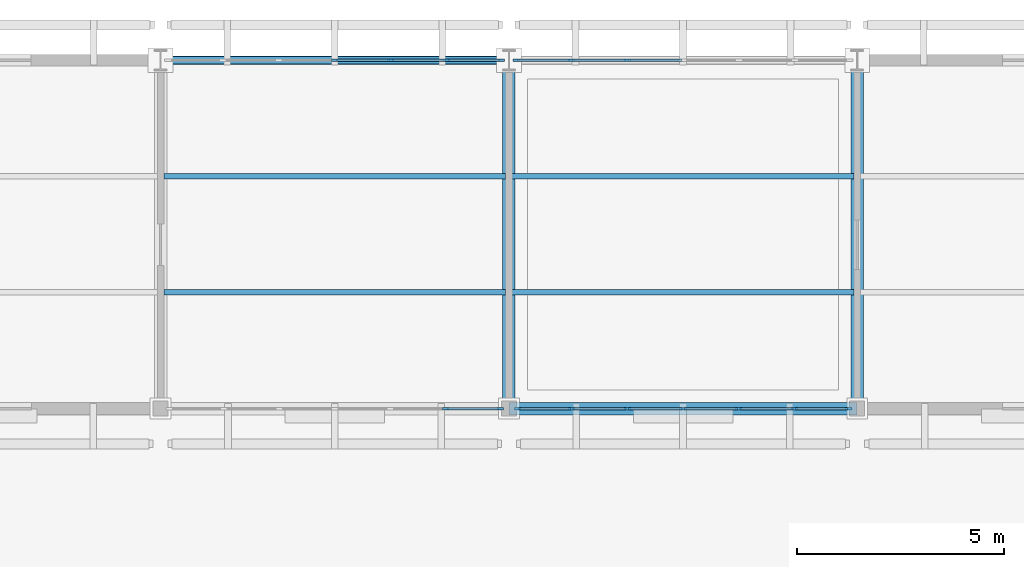
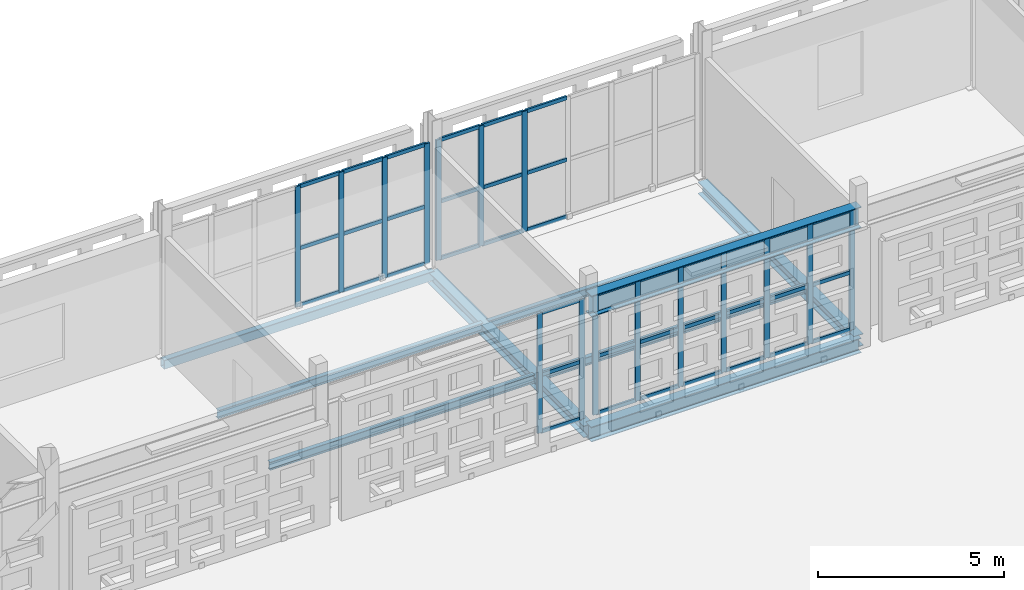
# One storey, part 60 of 203: 55 members, 9 beams, 4 elements without a shape of their own.
"""IFC4 building model written with IfcOpenShell, lengths in metres."""

from ifc_helpers import new_model, si_unit, direction, frame, origin, origin_2d, place, context, subcontext, project, spatial, rectangle, hollow_rectangle, i_section, extrude, material, layer, layer_set, material_profile, profile_set, type_object, element, aggregate, save


model = new_model("IFC4")

# Units and contexts
model_context = context("Model", 3, precision=1e-05, world=origin(), true_north=direction((0.0, 1.0)))
body_context = subcontext(model_context, "Body", "Model", "MODEL_VIEW")
ifc_project = project(units=[si_unit("LENGTHUNIT", "METRE"), si_unit("AREAUNIT", "SQUARE_METRE"), si_unit("VOLUMEUNIT", "CUBIC_METRE"), si_unit("PLANEANGLEUNIT", "RADIAN"), si_unit("MASSUNIT", "GRAM", prefix="KILO")], contexts=[model_context])

# Site, building, storey
site_placement = place(None, origin())
site = spatial("IfcSite", under=ifc_project, at=site_placement, CompositionType="ELEMENT")
building_placement = place(site_placement, origin())
building = spatial("IfcBuilding", under=site, at=building_placement, Name="Varnapada Polytechnic", CompositionType="ELEMENT")
storey_placement = place(building_placement, frame((0.0, 0.0, 4.800048828125)))
storey = spatial("IfcBuildingStorey", under=building, at=storey_placement, Name="L01", CompositionType="ELEMENT", Elevation=4.800048828125)

# Beams
ifc_material_1 = material(Name="Steel S355", Category="steel")
ifc_material_profile_1 = material_profile(ifc_material_1, i_section(OverallWidth=0.300048828125, OverallDepth=0.68994140625, WebThickness=0.014404296875, FlangeThickness=0.027099609375, FilletRadius=0.027099609375, at=origin_2d()), Name="HEA 700")
ifc_profile_set_1 = profile_set([ifc_material_profile_1], Name="Steel S355")
beam_type_1 = type_object("IfcBeamType", Name="Heavy fabrication crane girder CR-03 (HEA 700)", PredefinedType="BEAM", material=ifc_profile_set_1)
beam_1_placement = place(storey_placement, frame((84.0, 117.60009765625, 3.695068359375), z_axis=(1.0, 0.0, 0.0), x_axis=(0.0, 1.0, 0.0)))
element("IfcBeam", 1, at=beam_1_placement, inside=storey, type_object=beam_type_1, Name="Workshop bridge crane runway girder 11-12 line 15", PredefinedType="BEAM", context=body_context, shape_type="SweptSolid", body=[
    extrude(i_section(OverallWidth=0.300048828125, OverallDepth=0.68994140625, WebThickness=0.014404296875, FlangeThickness=0.027099609375, FilletRadius=0.027099609375, at=origin_2d()), origin(), (0.0, 0.0, 1.0), 8.39990234375),
])
ifc_material_profile_2 = material_profile(ifc_material_1, i_section(OverallWidth=0.135009765625, OverallDepth=0.27001953125, WebThickness=0.006591796875, FlangeThickness=0.01025390625, FilletRadius=0.014892578125, at=origin_2d()), Name="IPE 270")
ifc_profile_set_2 = profile_set([ifc_material_profile_2], Name="Steel S355")
beam_type_2 = type_object("IfcBeamType", Name="Mezzanine heavy steel joist SJ-03 (IPE 270)", PredefinedType="JOIST", material=ifc_profile_set_2)
for number, where, z_axis, x_axis, name in (
    (2, (75.679931640625, 120.39990234375, -0.39501953125), (1.0, 0.0, 0.0), (0.0, 1.0, 0.0), "L01 floor joist 10/15.1"),
    (3, (75.679931640625, 123.199951171875, -0.39501953125), (1.0, 0.0, 0.0), (0.0, 1.0, 0.0), "L01 floor joist 10/15.2"),
    (4, (84.080078125, 120.39990234375, -0.39501953125), (1.0, 0.0, 0.0), (0.0, 1.0, 0.0), "L01 floor joist 11/15.1"),
    (5, (84.080078125, 123.199951171875, -0.39501953125), (1.0, 0.0, 0.0), (0.0, 1.0, 0.0), "L01 floor joist 11/15.2"),
):
    element("IfcBeam", number, at=place(storey_placement, frame(where, z_axis=z_axis, x_axis=x_axis)), inside=storey, type_object=beam_type_2, Name=name, PredefinedType="JOIST", context=body_context, shape_type="SweptSolid", body=[
        extrude(i_section(OverallWidth=0.135009765625, OverallDepth=0.27001953125, WebThickness=0.006591796875, FlangeThickness=0.01025390625, FilletRadius=0.014892578125, at=origin_2d()), origin(), (0.0, 0.0, 1.0), 8.239990234375),
    ])

# Curtain wall, members
ifc_material_2 = material(Name="Double low-E laminated glass", Category="glass")
ifc_layer = layer(ifc_material_2, 0.159912109375)
ifc_layer_set = layer_set([ifc_layer], Name="Double low-E laminated glass")
curtain_wall_type = type_object("IfcCurtainWallType", Name="Curtain Wall CW-02", PredefinedType="NOTDEFINED", material=ifc_layer_set)
curtain_wall_1_placement = place(storey_placement, origin())
curtain_wall_1 = element("IfcCurtainWall", 6, at=curtain_wall_1_placement, inside=storey, type_object=curtain_wall_type, Name="L01 unitised curtain wall CW-02 (67)", PredefinedType="NOTDEFINED")
ifc_material_3 = material(Name="Anodised aluminium", Category="aluminium")
ifc_material_profile_3 = material_profile(ifc_material_3, rectangle(XDim=0.06005859375, YDim=0.159912109375, at=origin_2d()), Name="ALU M60x160")
ifc_profile_set_3 = profile_set([ifc_material_profile_3], Name="Anodised aluminium")
member_type_1 = type_object("IfcMemberType", Name="Mullion M-01", PredefinedType="MULLION", material=ifc_profile_set_3)
member_1_placement = place(storey_placement, frame((83.7900390625, 117.60009765625, 0.0), z_axis=(0.0, 0.0, 1.0), x_axis=(0.0, -1.0, 0.0)))
member_1 = element("IfcMember", 7, at=member_1_placement, type_object=member_type_1, Name="CW-02 mullion 1", PredefinedType="MULLION", context=body_context, shape_type="SweptSolid", body=[
    extrude(rectangle(XDim=0.06005859375, YDim=0.159912109375, at=origin_2d()), origin(), (0.0, 0.0, 1.0), 3.9599609375),
])
member_2_placement = place(storey_placement, frame((82.47998046875, 117.60009765625, 0.0), z_axis=(0.0, 0.0, 1.0), x_axis=(0.0, -1.0, 0.0)))
member_2 = element("IfcMember", 8, at=member_2_placement, type_object=member_type_1, Name="CW-02 mullion 2", PredefinedType="MULLION", context=body_context, shape_type="SweptSolid", body=[
    extrude(rectangle(XDim=0.06005859375, YDim=0.159912109375, at=origin_2d()), origin(), (0.0, 0.0, 1.0), 3.9599609375),
])

curtain_wall_2_placement = place(storey_placement, origin())
curtain_wall_2 = element("IfcCurtainWall", 9, at=curtain_wall_2_placement, inside=storey, type_object=curtain_wall_type, Name="L01 unitised curtain wall CW-02 (68)", PredefinedType="NOTDEFINED")
member_3_placement = place(storey_placement, frame((79.800048828125, 126.0, 0.0), z_axis=(0.0, 0.0, 1.0), x_axis=(0.0, 1.0, 0.0)))
member_3 = element("IfcMember", 10, at=member_3_placement, type_object=member_type_1, Name="CW-02 mullion 4", PredefinedType="MULLION", context=body_context, shape_type="SweptSolid", body=[
    extrude(rectangle(XDim=0.06005859375, YDim=0.159912109375, at=origin_2d()), origin(), (0.0, 0.0, 1.0), 3.9599609375),
])
member_4_placement = place(storey_placement, frame((81.14990234375, 126.0, 0.0), z_axis=(0.0, 0.0, 1.0), x_axis=(0.0, 1.0, 0.0)))
member_4 = element("IfcMember", 11, at=member_4_placement, type_object=member_type_1, Name="CW-02 mullion 5", PredefinedType="MULLION", context=body_context, shape_type="SweptSolid", body=[
    extrude(rectangle(XDim=0.06005859375, YDim=0.159912109375, at=origin_2d()), origin(), (0.0, 0.0, 1.0), 3.9599609375),
])
member_5_placement = place(storey_placement, frame((82.5, 126.0, 0.0), z_axis=(0.0, 0.0, 1.0), x_axis=(0.0, 1.0, 0.0)))
member_5 = element("IfcMember", 12, at=member_5_placement, type_object=member_type_1, Name="CW-02 mullion 6", PredefinedType="MULLION", context=body_context, shape_type="SweptSolid", body=[
    extrude(rectangle(XDim=0.06005859375, YDim=0.159912109375, at=origin_2d()), origin(), (0.0, 0.0, 1.0), 3.9599609375),
])
member_6_placement = place(storey_placement, frame((83.820068359375, 126.0, 0.0), z_axis=(0.0, 0.0, 1.0), x_axis=(0.0, 1.0, 0.0)))
member_6 = element("IfcMember", 13, at=member_6_placement, type_object=member_type_1, Name="CW-02 mullion 7", PredefinedType="MULLION", context=body_context, shape_type="SweptSolid", body=[
    extrude(rectangle(XDim=0.06005859375, YDim=0.159912109375, at=origin_2d()), origin(), (0.0, 0.0, 1.0), 3.9599609375),
])

curtain_wall_3_placement = place(storey_placement, origin())
curtain_wall_3 = element("IfcCurtainWall", 14, at=curtain_wall_3_placement, inside=storey, type_object=curtain_wall_type, Name="L01 unitised curtain wall CW-02 (73)", PredefinedType="NOTDEFINED")
member_7_placement = place(storey_placement, frame((92.18994140625, 117.60009765625, 0.0), z_axis=(0.0, 0.0, 1.0), x_axis=(0.0, -1.0, 0.0)))
member_7 = element("IfcMember", 15, at=member_7_placement, type_object=member_type_1, Name="CW-02 mullion 1", PredefinedType="MULLION", context=body_context, shape_type="SweptSolid", body=[
    extrude(rectangle(XDim=0.06005859375, YDim=0.159912109375, at=origin_2d()), origin(), (0.0, 0.0, 1.0), 3.9599609375),
])
member_8_placement = place(storey_placement, frame((90.8798828125, 117.60009765625, 0.0), z_axis=(0.0, 0.0, 1.0), x_axis=(0.0, -1.0, 0.0)))
member_8 = element("IfcMember", 16, at=member_8_placement, type_object=member_type_1, Name="CW-02 mullion 2", PredefinedType="MULLION", context=body_context, shape_type="SweptSolid", body=[
    extrude(rectangle(XDim=0.06005859375, YDim=0.159912109375, at=origin_2d()), origin(), (0.0, 0.0, 1.0), 3.9599609375),
])
member_9_placement = place(storey_placement, frame((89.5400390625, 117.60009765625, 0.0), z_axis=(0.0, 0.0, 1.0), x_axis=(0.0, -1.0, 0.0)))
member_9 = element("IfcMember", 17, at=member_9_placement, type_object=member_type_1, Name="CW-02 mullion 3", PredefinedType="MULLION", context=body_context, shape_type="SweptSolid", body=[
    extrude(rectangle(XDim=0.06005859375, YDim=0.159912109375, at=origin_2d()), origin(), (0.0, 0.0, 1.0), 3.9599609375),
])
member_10_placement = place(storey_placement, frame((88.199951171875, 117.60009765625, 0.0), z_axis=(0.0, 0.0, 1.0), x_axis=(0.0, -1.0, 0.0)))
member_10 = element("IfcMember", 18, at=member_10_placement, type_object=member_type_1, Name="CW-02 mullion 4", PredefinedType="MULLION", context=body_context, shape_type="SweptSolid", body=[
    extrude(rectangle(XDim=0.06005859375, YDim=0.159912109375, at=origin_2d()), origin(), (0.0, 0.0, 1.0), 3.9599609375),
])
member_11_placement = place(storey_placement, frame((86.860107421875, 117.60009765625, 0.0), z_axis=(0.0, 0.0, 1.0), x_axis=(0.0, -1.0, 0.0)))
member_11 = element("IfcMember", 19, at=member_11_placement, type_object=member_type_1, Name="CW-02 mullion 5", PredefinedType="MULLION", context=body_context, shape_type="SweptSolid", body=[
    extrude(rectangle(XDim=0.06005859375, YDim=0.159912109375, at=origin_2d()), origin(), (0.0, 0.0, 1.0), 3.9599609375),
])
member_12_placement = place(storey_placement, frame((85.52001953125, 117.60009765625, 0.0), z_axis=(0.0, 0.0, 1.0), x_axis=(0.0, -1.0, 0.0)))
member_12 = element("IfcMember", 20, at=member_12_placement, type_object=member_type_1, Name="CW-02 mullion 6", PredefinedType="MULLION", context=body_context, shape_type="SweptSolid", body=[
    extrude(rectangle(XDim=0.06005859375, YDim=0.159912109375, at=origin_2d()), origin(), (0.0, 0.0, 1.0), 3.9599609375),
])
member_13_placement = place(storey_placement, frame((84.2099609375, 117.60009765625, 0.0), z_axis=(0.0, 0.0, 1.0), x_axis=(0.0, -1.0, 0.0)))
member_13 = element("IfcMember", 21, at=member_13_placement, type_object=member_type_1, Name="CW-02 mullion 7", PredefinedType="MULLION", context=body_context, shape_type="SweptSolid", body=[
    extrude(rectangle(XDim=0.06005859375, YDim=0.159912109375, at=origin_2d()), origin(), (0.0, 0.0, 1.0), 3.9599609375),
])

curtain_wall_4_placement = place(storey_placement, origin())
curtain_wall_4 = element("IfcCurtainWall", 22, at=curtain_wall_4_placement, inside=storey, type_object=curtain_wall_type, Name="L01 unitised curtain wall CW-02 (74)", PredefinedType="NOTDEFINED")
member_14_placement = place(storey_placement, frame((84.179931640625, 126.0, 0.0), z_axis=(0.0, 0.0, 1.0), x_axis=(0.0, 1.0, 0.0)))
member_14 = element("IfcMember", 23, at=member_14_placement, type_object=member_type_1, Name="CW-02 mullion 1", PredefinedType="MULLION", context=body_context, shape_type="SweptSolid", body=[
    extrude(rectangle(XDim=0.06005859375, YDim=0.159912109375, at=origin_2d()), origin(), (0.0, 0.0, 1.0), 3.9599609375),
])
member_15_placement = place(storey_placement, frame((85.5, 126.0, 0.0), z_axis=(0.0, 0.0, 1.0), x_axis=(0.0, 1.0, 0.0)))
member_15 = element("IfcMember", 24, at=member_15_placement, type_object=member_type_1, Name="CW-02 mullion 2", PredefinedType="MULLION", context=body_context, shape_type="SweptSolid", body=[
    extrude(rectangle(XDim=0.06005859375, YDim=0.159912109375, at=origin_2d()), origin(), (0.0, 0.0, 1.0), 3.9599609375),
])
member_16_placement = place(storey_placement, frame((86.85009765625, 126.0, 0.0), z_axis=(0.0, 0.0, 1.0), x_axis=(0.0, 1.0, 0.0)))
member_16 = element("IfcMember", 25, at=member_16_placement, type_object=member_type_1, Name="CW-02 mullion 3", PredefinedType="MULLION", context=body_context, shape_type="SweptSolid", body=[
    extrude(rectangle(XDim=0.06005859375, YDim=0.159912109375, at=origin_2d()), origin(), (0.0, 0.0, 1.0), 3.9599609375),
])

# Beams
ifc_material_profile_4 = material_profile(ifc_material_1, i_section(OverallWidth=0.300048828125, OverallDepth=0.389892578125, WebThickness=0.010986328125, FlangeThickness=0.01904296875, FilletRadius=0.027099609375, at=origin_2d()), Name="HEA 400")
ifc_profile_set_4 = profile_set([ifc_material_profile_4], Name="Steel S355")
beam_type_3 = type_object("IfcBeamType", Name="Steel roof primary girder SG-01 (HEA 400)", PredefinedType="BEAM", material=ifc_profile_set_4)
for number, where, z_axis, x_axis, name in (
    (26, (84.0, 117.60009765625, -0.465087890625), (0.0, 1.0, 0.0), (-1.0, 0.0, 0.0), "L01 beam Y 15-16 at X11"),
    (27, (92.39990234375, 117.60009765625, -0.465087890625), (0.0, 1.0, 0.0), (-1.0, 0.0, 0.0), "L01 beam Y 15-16 at X12"),
):
    element("IfcBeam", number, at=place(storey_placement, frame(where, z_axis=z_axis, x_axis=x_axis)), inside=storey, type_object=beam_type_3, Name=name, PredefinedType="BEAM", context=body_context, shape_type="SweptSolid", body=[
        extrude(i_section(OverallWidth=0.300048828125, OverallDepth=0.389892578125, WebThickness=0.010986328125, FlangeThickness=0.01904296875, FilletRadius=0.027099609375, at=origin_2d()), origin(), (0.0, 0.0, 1.0), 8.39990234375),
    ])

# Member
ifc_material_profile_5 = material_profile(ifc_material_3, rectangle(XDim=0.06005859375, YDim=0.1201171875, at=origin_2d()), Name="ALU T60x120")
ifc_profile_set_5 = profile_set([ifc_material_profile_5], Name="Anodised aluminium")
member_type_2 = type_object("IfcMemberType", Name="Transom T-01", PredefinedType="USERDEFINED", material=ifc_profile_set_5)
member_17_placement = place(storey_placement, frame((83.760009765625, 117.60009765625, 0.030029296875), z_axis=(-1.0, 0.0, 0.0), x_axis=(0.0, -1.0, 0.0)))
member_17 = element("IfcMember", 28, at=member_17_placement, type_object=member_type_2, Name="CW-02 transom 1.1", ObjectType="TRANSOM", PredefinedType="USERDEFINED", context=body_context, shape_type="SweptSolid", body=[
    extrude(rectangle(XDim=0.06005859375, YDim=0.1201171875, at=origin_2d()), origin(), (0.0, 0.0, 1.0), 1.25),
])

member_18_placement = place(storey_placement, frame((83.760009765625, 117.60009765625, 1.900634765625), z_axis=(-1.0, 0.0, 0.0), x_axis=(0.0, -1.0, 0.0)))
member_18 = element("IfcMember", 29, at=member_18_placement, type_object=member_type_2, Name="CW-02 transom 1.2", ObjectType="TRANSOM", PredefinedType="USERDEFINED", context=body_context, shape_type="SweptSolid", body=[
    extrude(rectangle(XDim=0.06005859375, YDim=0.1201171875, at=origin_2d()), origin(), (0.0, 0.0, 1.0), 1.25),
])

member_19_placement = place(storey_placement, frame((83.760009765625, 117.60009765625, 3.929931640625), z_axis=(-1.0, 0.0, 0.0), x_axis=(0.0, -1.0, 0.0)))
member_19 = element("IfcMember", 30, at=member_19_placement, type_object=member_type_2, Name="CW-02 transom 1.3", ObjectType="TRANSOM", PredefinedType="USERDEFINED", context=body_context, shape_type="SweptSolid", body=[
    extrude(rectangle(XDim=0.06005859375, YDim=0.1201171875, at=origin_2d()), origin(), (0.0, 0.0, 1.0), 1.25),
])

aggregate(curtain_wall_1, [member_1, member_2, member_17, member_18, member_19])

member_20_placement = place(storey_placement, frame((79.830078125, 126.0, 0.030029296875), z_axis=(1.0, 0.0, 0.0), x_axis=(0.0, 1.0, 0.0)))
member_20 = element("IfcMember", 31, at=member_20_placement, type_object=member_type_2, Name="CW-02 transom 4.1", ObjectType="TRANSOM", PredefinedType="USERDEFINED", context=body_context, shape_type="SweptSolid", body=[
    extrude(rectangle(XDim=0.06005859375, YDim=0.1201171875, at=origin_2d()), origin(), (0.0, 0.0, 1.0), 1.2900390625),
])

member_21_placement = place(storey_placement, frame((79.830078125, 126.0, 1.900634765625), z_axis=(1.0, 0.0, 0.0), x_axis=(0.0, 1.0, 0.0)))
member_21 = element("IfcMember", 32, at=member_21_placement, type_object=member_type_2, Name="CW-02 transom 4.2", ObjectType="TRANSOM", PredefinedType="USERDEFINED", context=body_context, shape_type="SweptSolid", body=[
    extrude(rectangle(XDim=0.06005859375, YDim=0.1201171875, at=origin_2d()), origin(), (0.0, 0.0, 1.0), 1.2900390625),
])

member_22_placement = place(storey_placement, frame((79.830078125, 126.0, 3.929931640625), z_axis=(1.0, 0.0, 0.0), x_axis=(0.0, 1.0, 0.0)))
member_22 = element("IfcMember", 33, at=member_22_placement, type_object=member_type_2, Name="CW-02 transom 4.3", ObjectType="TRANSOM", PredefinedType="USERDEFINED", context=body_context, shape_type="SweptSolid", body=[
    extrude(rectangle(XDim=0.06005859375, YDim=0.1201171875, at=origin_2d()), origin(), (0.0, 0.0, 1.0), 1.2900390625),
])

member_23_placement = place(storey_placement, frame((81.179931640625, 126.0, 0.030029296875), z_axis=(1.0, 0.0, 0.0), x_axis=(0.0, 1.0, 0.0)))
member_23 = element("IfcMember", 34, at=member_23_placement, type_object=member_type_2, Name="CW-02 transom 5.1", ObjectType="TRANSOM", PredefinedType="USERDEFINED", context=body_context, shape_type="SweptSolid", body=[
    extrude(rectangle(XDim=0.06005859375, YDim=0.1201171875, at=origin_2d()), origin(), (0.0, 0.0, 1.0), 1.2900390625),
])

member_24_placement = place(storey_placement, frame((81.179931640625, 126.0, 1.900634765625), z_axis=(1.0, 0.0, 0.0), x_axis=(0.0, 1.0, 0.0)))
member_24 = element("IfcMember", 35, at=member_24_placement, type_object=member_type_2, Name="CW-02 transom 5.2", ObjectType="TRANSOM", PredefinedType="USERDEFINED", context=body_context, shape_type="SweptSolid", body=[
    extrude(rectangle(XDim=0.06005859375, YDim=0.1201171875, at=origin_2d()), origin(), (0.0, 0.0, 1.0), 1.2900390625),
])

member_25_placement = place(storey_placement, frame((81.179931640625, 126.0, 3.929931640625), z_axis=(1.0, 0.0, 0.0), x_axis=(0.0, 1.0, 0.0)))
member_25 = element("IfcMember", 36, at=member_25_placement, type_object=member_type_2, Name="CW-02 transom 5.3", ObjectType="TRANSOM", PredefinedType="USERDEFINED", context=body_context, shape_type="SweptSolid", body=[
    extrude(rectangle(XDim=0.06005859375, YDim=0.1201171875, at=origin_2d()), origin(), (0.0, 0.0, 1.0), 1.2900390625),
])

member_26_placement = place(storey_placement, frame((82.530029296875, 126.0, 0.030029296875), z_axis=(1.0, 0.0, 0.0), x_axis=(0.0, 1.0, 0.0)))
member_26 = element("IfcMember", 37, at=member_26_placement, type_object=member_type_2, Name="CW-02 transom 6.1", ObjectType="TRANSOM", PredefinedType="USERDEFINED", context=body_context, shape_type="SweptSolid", body=[
    extrude(rectangle(XDim=0.06005859375, YDim=0.1201171875, at=origin_2d()), origin(), (0.0, 0.0, 1.0), 1.260009765625),
])

member_27_placement = place(storey_placement, frame((82.530029296875, 126.0, 1.900634765625), z_axis=(1.0, 0.0, 0.0), x_axis=(0.0, 1.0, 0.0)))
member_27 = element("IfcMember", 38, at=member_27_placement, type_object=member_type_2, Name="CW-02 transom 6.2", ObjectType="TRANSOM", PredefinedType="USERDEFINED", context=body_context, shape_type="SweptSolid", body=[
    extrude(rectangle(XDim=0.06005859375, YDim=0.1201171875, at=origin_2d()), origin(), (0.0, 0.0, 1.0), 1.260009765625),
])

member_28_placement = place(storey_placement, frame((82.530029296875, 126.0, 3.929931640625), z_axis=(1.0, 0.0, 0.0), x_axis=(0.0, 1.0, 0.0)))
member_28 = element("IfcMember", 39, at=member_28_placement, type_object=member_type_2, Name="CW-02 transom 6.3", ObjectType="TRANSOM", PredefinedType="USERDEFINED", context=body_context, shape_type="SweptSolid", body=[
    extrude(rectangle(XDim=0.06005859375, YDim=0.1201171875, at=origin_2d()), origin(), (0.0, 0.0, 1.0), 1.260009765625),
])

aggregate(curtain_wall_2, [member_3, member_4, member_5, member_6, member_20, member_21, member_22, member_23, member_24, member_25, member_26, member_27, member_28])

member_29_placement = place(storey_placement, frame((92.159912109375, 117.60009765625, 0.030029296875), z_axis=(-1.0, 0.0, 0.0), x_axis=(0.0, -1.0, 0.0)))
member_29 = element("IfcMember", 40, at=member_29_placement, type_object=member_type_2, Name="CW-02 transom 1.1", ObjectType="TRANSOM", PredefinedType="USERDEFINED", context=body_context, shape_type="SweptSolid", body=[
    extrude(rectangle(XDim=0.06005859375, YDim=0.1201171875, at=origin_2d()), origin(), (0.0, 0.0, 1.0), 1.25),
])

member_30_placement = place(storey_placement, frame((92.159912109375, 117.60009765625, 1.900634765625), z_axis=(-1.0, 0.0, 0.0), x_axis=(0.0, -1.0, 0.0)))
member_30 = element("IfcMember", 41, at=member_30_placement, type_object=member_type_2, Name="CW-02 transom 1.2", ObjectType="TRANSOM", PredefinedType="USERDEFINED", context=body_context, shape_type="SweptSolid", body=[
    extrude(rectangle(XDim=0.06005859375, YDim=0.1201171875, at=origin_2d()), origin(), (0.0, 0.0, 1.0), 1.25),
])

member_31_placement = place(storey_placement, frame((92.159912109375, 117.60009765625, 3.929931640625), z_axis=(-1.0, 0.0, 0.0), x_axis=(0.0, -1.0, 0.0)))
member_31 = element("IfcMember", 42, at=member_31_placement, type_object=member_type_2, Name="CW-02 transom 1.3", ObjectType="TRANSOM", PredefinedType="USERDEFINED", context=body_context, shape_type="SweptSolid", body=[
    extrude(rectangle(XDim=0.06005859375, YDim=0.1201171875, at=origin_2d()), origin(), (0.0, 0.0, 1.0), 1.25),
])

member_32_placement = place(storey_placement, frame((90.85009765625, 117.60009765625, 0.030029296875), z_axis=(-1.0, 0.0, 0.0), x_axis=(0.0, -1.0, 0.0)))
member_32 = element("IfcMember", 43, at=member_32_placement, type_object=member_type_2, Name="CW-02 transom 2.1", ObjectType="TRANSOM", PredefinedType="USERDEFINED", context=body_context, shape_type="SweptSolid", body=[
    extrude(rectangle(XDim=0.06005859375, YDim=0.1201171875, at=origin_2d()), origin(), (0.0, 0.0, 1.0), 1.280029296875),
])

member_33_placement = place(storey_placement, frame((90.85009765625, 117.60009765625, 1.900634765625), z_axis=(-1.0, 0.0, 0.0), x_axis=(0.0, -1.0, 0.0)))
member_33 = element("IfcMember", 44, at=member_33_placement, type_object=member_type_2, Name="CW-02 transom 2.2", ObjectType="TRANSOM", PredefinedType="USERDEFINED", context=body_context, shape_type="SweptSolid", body=[
    extrude(rectangle(XDim=0.06005859375, YDim=0.1201171875, at=origin_2d()), origin(), (0.0, 0.0, 1.0), 1.280029296875),
])

member_34_placement = place(storey_placement, frame((90.85009765625, 117.60009765625, 3.929931640625), z_axis=(-1.0, 0.0, 0.0), x_axis=(0.0, -1.0, 0.0)))
member_34 = element("IfcMember", 45, at=member_34_placement, type_object=member_type_2, Name="CW-02 transom 2.3", ObjectType="TRANSOM", PredefinedType="USERDEFINED", context=body_context, shape_type="SweptSolid", body=[
    extrude(rectangle(XDim=0.06005859375, YDim=0.1201171875, at=origin_2d()), origin(), (0.0, 0.0, 1.0), 1.280029296875),
])

member_35_placement = place(storey_placement, frame((89.510009765625, 117.60009765625, 0.030029296875), z_axis=(-1.0, 0.0, 0.0), x_axis=(0.0, -1.0, 0.0)))
member_35 = element("IfcMember", 46, at=member_35_placement, type_object=member_type_2, Name="CW-02 transom 3.1", ObjectType="TRANSOM", PredefinedType="USERDEFINED", context=body_context, shape_type="SweptSolid", body=[
    extrude(rectangle(XDim=0.06005859375, YDim=0.1201171875, at=origin_2d()), origin(), (0.0, 0.0, 1.0), 1.280029296875),
])

member_36_placement = place(storey_placement, frame((89.510009765625, 117.60009765625, 1.900634765625), z_axis=(-1.0, 0.0, 0.0), x_axis=(0.0, -1.0, 0.0)))
member_36 = element("IfcMember", 47, at=member_36_placement, type_object=member_type_2, Name="CW-02 transom 3.2", ObjectType="TRANSOM", PredefinedType="USERDEFINED", context=body_context, shape_type="SweptSolid", body=[
    extrude(rectangle(XDim=0.06005859375, YDim=0.1201171875, at=origin_2d()), origin(), (0.0, 0.0, 1.0), 1.280029296875),
])

member_37_placement = place(storey_placement, frame((89.510009765625, 117.60009765625, 3.929931640625), z_axis=(-1.0, 0.0, 0.0), x_axis=(0.0, -1.0, 0.0)))
member_37 = element("IfcMember", 48, at=member_37_placement, type_object=member_type_2, Name="CW-02 transom 3.3", ObjectType="TRANSOM", PredefinedType="USERDEFINED", context=body_context, shape_type="SweptSolid", body=[
    extrude(rectangle(XDim=0.06005859375, YDim=0.1201171875, at=origin_2d()), origin(), (0.0, 0.0, 1.0), 1.280029296875),
])

member_38_placement = place(storey_placement, frame((88.169921875, 117.60009765625, 0.030029296875), z_axis=(-1.0, 0.0, 0.0), x_axis=(0.0, -1.0, 0.0)))
member_38 = element("IfcMember", 49, at=member_38_placement, type_object=member_type_2, Name="CW-02 transom 4.1", ObjectType="TRANSOM", PredefinedType="USERDEFINED", context=body_context, shape_type="SweptSolid", body=[
    extrude(rectangle(XDim=0.06005859375, YDim=0.1201171875, at=origin_2d()), origin(), (0.0, 0.0, 1.0), 1.280029296875),
])

member_39_placement = place(storey_placement, frame((88.169921875, 117.60009765625, 1.900634765625), z_axis=(-1.0, 0.0, 0.0), x_axis=(0.0, -1.0, 0.0)))
member_39 = element("IfcMember", 50, at=member_39_placement, type_object=member_type_2, Name="CW-02 transom 4.2", ObjectType="TRANSOM", PredefinedType="USERDEFINED", context=body_context, shape_type="SweptSolid", body=[
    extrude(rectangle(XDim=0.06005859375, YDim=0.1201171875, at=origin_2d()), origin(), (0.0, 0.0, 1.0), 1.280029296875),
])

member_40_placement = place(storey_placement, frame((88.169921875, 117.60009765625, 3.929931640625), z_axis=(-1.0, 0.0, 0.0), x_axis=(0.0, -1.0, 0.0)))
member_40 = element("IfcMember", 51, at=member_40_placement, type_object=member_type_2, Name="CW-02 transom 4.3", ObjectType="TRANSOM", PredefinedType="USERDEFINED", context=body_context, shape_type="SweptSolid", body=[
    extrude(rectangle(XDim=0.06005859375, YDim=0.1201171875, at=origin_2d()), origin(), (0.0, 0.0, 1.0), 1.280029296875),
])

member_41_placement = place(storey_placement, frame((86.830078125, 117.60009765625, 0.030029296875), z_axis=(-1.0, 0.0, 0.0), x_axis=(0.0, -1.0, 0.0)))
member_41 = element("IfcMember", 52, at=member_41_placement, type_object=member_type_2, Name="CW-02 transom 5.1", ObjectType="TRANSOM", PredefinedType="USERDEFINED", context=body_context, shape_type="SweptSolid", body=[
    extrude(rectangle(XDim=0.06005859375, YDim=0.1201171875, at=origin_2d()), origin(), (0.0, 0.0, 1.0), 1.280029296875),
])

member_42_placement = place(storey_placement, frame((86.830078125, 117.60009765625, 1.900634765625), z_axis=(-1.0, 0.0, 0.0), x_axis=(0.0, -1.0, 0.0)))
member_42 = element("IfcMember", 53, at=member_42_placement, type_object=member_type_2, Name="CW-02 transom 5.2", ObjectType="TRANSOM", PredefinedType="USERDEFINED", context=body_context, shape_type="SweptSolid", body=[
    extrude(rectangle(XDim=0.06005859375, YDim=0.1201171875, at=origin_2d()), origin(), (0.0, 0.0, 1.0), 1.280029296875),
])

member_43_placement = place(storey_placement, frame((86.830078125, 117.60009765625, 3.929931640625), z_axis=(-1.0, 0.0, 0.0), x_axis=(0.0, -1.0, 0.0)))
member_43 = element("IfcMember", 54, at=member_43_placement, type_object=member_type_2, Name="CW-02 transom 5.3", ObjectType="TRANSOM", PredefinedType="USERDEFINED", context=body_context, shape_type="SweptSolid", body=[
    extrude(rectangle(XDim=0.06005859375, YDim=0.1201171875, at=origin_2d()), origin(), (0.0, 0.0, 1.0), 1.280029296875),
])

member_44_placement = place(storey_placement, frame((85.489990234375, 117.60009765625, 0.030029296875), z_axis=(-1.0, 0.0, 0.0), x_axis=(0.0, -1.0, 0.0)))
member_44 = element("IfcMember", 55, at=member_44_placement, type_object=member_type_2, Name="CW-02 transom 6.1", ObjectType="TRANSOM", PredefinedType="USERDEFINED", context=body_context, shape_type="SweptSolid", body=[
    extrude(rectangle(XDim=0.06005859375, YDim=0.1201171875, at=origin_2d()), origin(), (0.0, 0.0, 1.0), 1.25),
])

member_45_placement = place(storey_placement, frame((85.489990234375, 117.60009765625, 1.900634765625), z_axis=(-1.0, 0.0, 0.0), x_axis=(0.0, -1.0, 0.0)))
member_45 = element("IfcMember", 56, at=member_45_placement, type_object=member_type_2, Name="CW-02 transom 6.2", ObjectType="TRANSOM", PredefinedType="USERDEFINED", context=body_context, shape_type="SweptSolid", body=[
    extrude(rectangle(XDim=0.06005859375, YDim=0.1201171875, at=origin_2d()), origin(), (0.0, 0.0, 1.0), 1.25),
])

member_46_placement = place(storey_placement, frame((85.489990234375, 117.60009765625, 3.929931640625), z_axis=(-1.0, 0.0, 0.0), x_axis=(0.0, -1.0, 0.0)))
member_46 = element("IfcMember", 57, at=member_46_placement, type_object=member_type_2, Name="CW-02 transom 6.3", ObjectType="TRANSOM", PredefinedType="USERDEFINED", context=body_context, shape_type="SweptSolid", body=[
    extrude(rectangle(XDim=0.06005859375, YDim=0.1201171875, at=origin_2d()), origin(), (0.0, 0.0, 1.0), 1.25),
])

aggregate(curtain_wall_3, [member_7, member_8, member_9, member_10, member_11, member_12, member_13, member_29, member_30, member_31, member_32, member_33, member_34, member_35, member_36, member_37, member_38, member_39, member_40, member_41, member_42, member_43, member_44, member_45, member_46])

member_47_placement = place(storey_placement, frame((84.2099609375, 126.0, 0.030029296875), z_axis=(1.0, 0.0, 0.0), x_axis=(0.0, 1.0, 0.0)))
member_47 = element("IfcMember", 58, at=member_47_placement, type_object=member_type_2, Name="CW-02 transom 1.1", ObjectType="TRANSOM", PredefinedType="USERDEFINED", context=body_context, shape_type="SweptSolid", body=[
    extrude(rectangle(XDim=0.06005859375, YDim=0.1201171875, at=origin_2d()), origin(), (0.0, 0.0, 1.0), 1.260009765625),
])

member_48_placement = place(storey_placement, frame((84.2099609375, 126.0, 1.900634765625), z_axis=(1.0, 0.0, 0.0), x_axis=(0.0, 1.0, 0.0)))
member_48 = element("IfcMember", 59, at=member_48_placement, type_object=member_type_2, Name="CW-02 transom 1.2", ObjectType="TRANSOM", PredefinedType="USERDEFINED", context=body_context, shape_type="SweptSolid", body=[
    extrude(rectangle(XDim=0.06005859375, YDim=0.1201171875, at=origin_2d()), origin(), (0.0, 0.0, 1.0), 1.260009765625),
])

member_49_placement = place(storey_placement, frame((84.2099609375, 126.0, 3.929931640625), z_axis=(1.0, 0.0, 0.0), x_axis=(0.0, 1.0, 0.0)))
member_49 = element("IfcMember", 60, at=member_49_placement, type_object=member_type_2, Name="CW-02 transom 1.3", ObjectType="TRANSOM", PredefinedType="USERDEFINED", context=body_context, shape_type="SweptSolid", body=[
    extrude(rectangle(XDim=0.06005859375, YDim=0.1201171875, at=origin_2d()), origin(), (0.0, 0.0, 1.0), 1.260009765625),
])

member_50_placement = place(storey_placement, frame((85.530029296875, 126.0, 0.030029296875), z_axis=(1.0, 0.0, 0.0), x_axis=(0.0, 1.0, 0.0)))
member_50 = element("IfcMember", 61, at=member_50_placement, type_object=member_type_2, Name="CW-02 transom 2.1", ObjectType="TRANSOM", PredefinedType="USERDEFINED", context=body_context, shape_type="SweptSolid", body=[
    extrude(rectangle(XDim=0.06005859375, YDim=0.1201171875, at=origin_2d()), origin(), (0.0, 0.0, 1.0), 1.2900390625),
])

member_51_placement = place(storey_placement, frame((85.530029296875, 126.0, 1.900634765625), z_axis=(1.0, 0.0, 0.0), x_axis=(0.0, 1.0, 0.0)))
member_51 = element("IfcMember", 62, at=member_51_placement, type_object=member_type_2, Name="CW-02 transom 2.2", ObjectType="TRANSOM", PredefinedType="USERDEFINED", context=body_context, shape_type="SweptSolid", body=[
    extrude(rectangle(XDim=0.06005859375, YDim=0.1201171875, at=origin_2d()), origin(), (0.0, 0.0, 1.0), 1.2900390625),
])

member_52_placement = place(storey_placement, frame((85.530029296875, 126.0, 3.929931640625), z_axis=(1.0, 0.0, 0.0), x_axis=(0.0, 1.0, 0.0)))
member_52 = element("IfcMember", 63, at=member_52_placement, type_object=member_type_2, Name="CW-02 transom 2.3", ObjectType="TRANSOM", PredefinedType="USERDEFINED", context=body_context, shape_type="SweptSolid", body=[
    extrude(rectangle(XDim=0.06005859375, YDim=0.1201171875, at=origin_2d()), origin(), (0.0, 0.0, 1.0), 1.2900390625),
])

member_53_placement = place(storey_placement, frame((86.8798828125, 126.0, 0.030029296875), z_axis=(1.0, 0.0, 0.0), x_axis=(0.0, 1.0, 0.0)))
member_53 = element("IfcMember", 64, at=member_53_placement, type_object=member_type_2, Name="CW-02 transom 3.1", ObjectType="TRANSOM", PredefinedType="USERDEFINED", context=body_context, shape_type="SweptSolid", body=[
    extrude(rectangle(XDim=0.06005859375, YDim=0.1201171875, at=origin_2d()), origin(), (0.0, 0.0, 1.0), 1.2900390625),
])

member_54_placement = place(storey_placement, frame((86.8798828125, 126.0, 1.900634765625), z_axis=(1.0, 0.0, 0.0), x_axis=(0.0, 1.0, 0.0)))
member_54 = element("IfcMember", 65, at=member_54_placement, type_object=member_type_2, Name="CW-02 transom 3.2", ObjectType="TRANSOM", PredefinedType="USERDEFINED", context=body_context, shape_type="SweptSolid", body=[
    extrude(rectangle(XDim=0.06005859375, YDim=0.1201171875, at=origin_2d()), origin(), (0.0, 0.0, 1.0), 1.2900390625),
])

member_55_placement = place(storey_placement, frame((86.8798828125, 126.0, 3.929931640625), z_axis=(1.0, 0.0, 0.0), x_axis=(0.0, 1.0, 0.0)))
member_55 = element("IfcMember", 66, at=member_55_placement, type_object=member_type_2, Name="CW-02 transom 3.3", ObjectType="TRANSOM", PredefinedType="USERDEFINED", context=body_context, shape_type="SweptSolid", body=[
    extrude(rectangle(XDim=0.06005859375, YDim=0.1201171875, at=origin_2d()), origin(), (0.0, 0.0, 1.0), 1.2900390625),
])

aggregate(curtain_wall_4, [member_14, member_15, member_16, member_47, member_48, member_49, member_50, member_51, member_52, member_53, member_54, member_55])

# Beams
ifc_material_profile_6 = material_profile(ifc_material_1, i_section(OverallWidth=0.300048828125, OverallDepth=0.489990234375, WebThickness=0.011962890625, FlangeThickness=0.02294921875, FilletRadius=0.027099609375, at=origin_2d()), Name="HEA 500")
ifc_profile_set_6 = profile_set([ifc_material_profile_6], Name="Steel S355")
beam_type_4 = type_object("IfcBeamType", Name="Workshop gallery edge girder CR-02 (HEA 500)", PredefinedType="BEAM", material=ifc_profile_set_6)
beam_2_placement = place(storey_placement, frame((84.0, 117.60009765625, -0.51513671875), z_axis=(1.0, 0.0, 0.0), x_axis=(0.0, 1.0, 0.0)))
element("IfcBeam", 67, at=beam_2_placement, inside=storey, type_object=beam_type_4, Name="L01 beam X 11-12 at Y15", PredefinedType="BEAM", context=body_context, shape_type="SweptSolid", body=[
    extrude(i_section(OverallWidth=0.300048828125, OverallDepth=0.489990234375, WebThickness=0.011962890625, FlangeThickness=0.02294921875, FilletRadius=0.027099609375, at=origin_2d()), origin(), (0.0, 0.0, 1.0), 8.39990234375),
])
ifc_material_profile_7 = material_profile(ifc_material_1, hollow_rectangle(XDim=0.199951171875, YDim=0.300048828125, WallThickness=0.010009765625, InnerFilletRadius=0.010009765625, OuterFilletRadius=0.02001953125, at=origin_2d()), Name="RHS 300x200x10")
ifc_profile_set_7 = profile_set([ifc_material_profile_7], Name="Steel S355")
beam_type_5 = type_object("IfcBeamType", Name="Workshop steel spandrel tie SP-03 (RHS 300x200x10)", PredefinedType="SPANDREL", material=ifc_profile_set_7)
beam_3_placement = place(storey_placement, frame((75.60009765625, 126.0, -0.41015625), z_axis=(1.0, 0.0, 0.0), x_axis=(0.0, 1.0, 0.0)))
element("IfcBeam", 68, at=beam_3_placement, inside=storey, type_object=beam_type_5, Name="L01 beam X 10-11 at Y16", PredefinedType="SPANDREL", context=body_context, shape_type="SweptSolid", body=[
    extrude(hollow_rectangle(XDim=0.199951171875, YDim=0.300048828125, WallThickness=0.010009765625, InnerFilletRadius=0.010009765625, OuterFilletRadius=0.02001953125, at=origin_2d()), origin(), (0.0, 0.0, 1.0), 8.39990234375),
])

save(model, "model.ifc")
